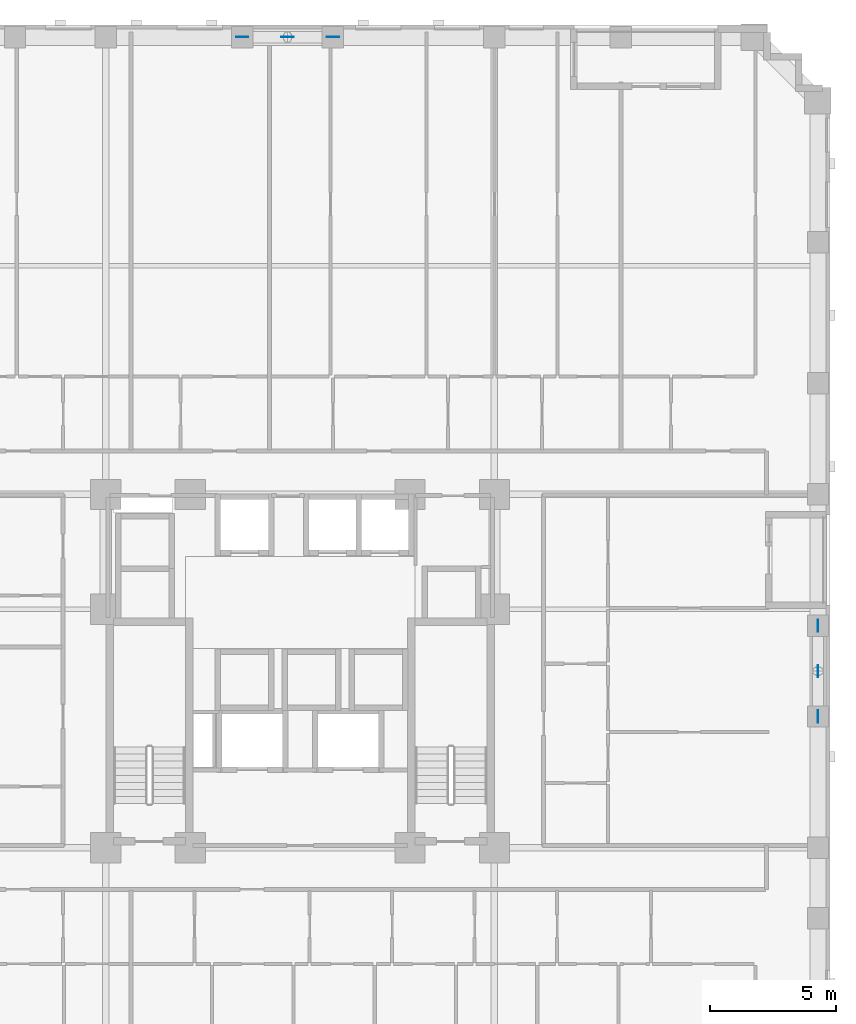
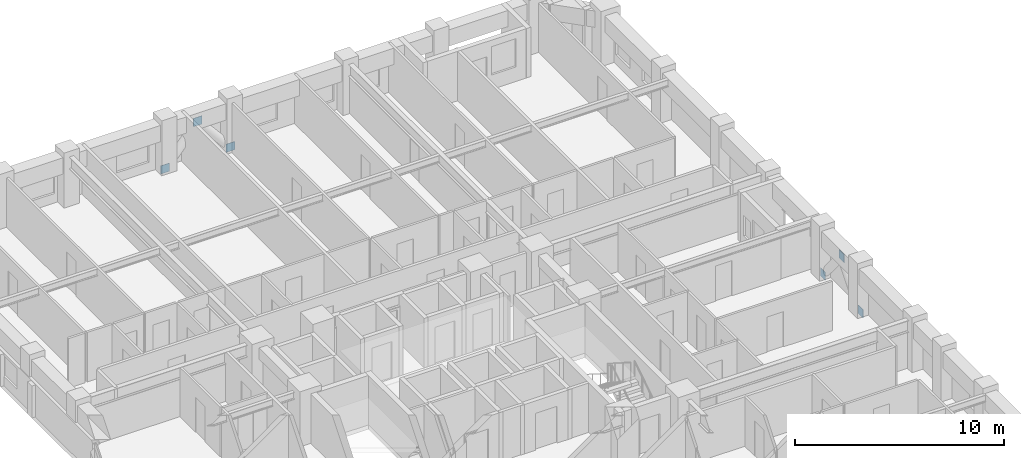
# One storey, part 11 of 14: 6 discrete accessories.
"""IFC4 building model written with IfcOpenShell, lengths in metres."""

from ifc_helpers import new_model, si_unit, derived_unit, direction, frame, origin, origin_2d, place, context, subcontext, project, spatial, rectangle, extrude, material, layer, layer_set, type_object, element, save


model = new_model("IFC4")

# Units and contexts
model_context = context("Model", 3, precision=1e-05, world=origin(), true_north=direction((0.0, 1.0)))
body_context = subcontext(model_context, "Body", "Model", "MODEL_VIEW")
ifc_project = project(units=[si_unit("LENGTHUNIT", "METRE"), si_unit("AREAUNIT", "SQUARE_METRE"), si_unit("VOLUMEUNIT", "CUBIC_METRE"), si_unit("PLANEANGLEUNIT", "RADIAN"), si_unit("MASSUNIT", "GRAM", prefix="KILO"), derived_unit("THERMALTRANSMITTANCEUNIT", [(si_unit("MASSUNIT", "GRAM", prefix="KILO"), 1), (si_unit("TIMEUNIT", "SECOND"), -3), (si_unit("THERMODYNAMICTEMPERATUREUNIT", "KELVIN"), -1)])], contexts=[model_context])

# Site, building, storey
site_placement = place(None, origin())
site = spatial("IfcSite", under=ifc_project, at=site_placement, CompositionType="ELEMENT")
building_placement = place(site_placement, origin())
building = spatial("IfcBuilding", under=site, at=building_placement, Name="Korrvale Station Residences", CompositionType="ELEMENT")
storey_placement = place(building_placement, frame((0.0, 0.0, 67.39990234375)))
storey = spatial("IfcBuildingStorey", under=building, at=storey_placement, Name="L18", CompositionType="ELEMENT", Elevation=67.39990234375)

# Discrete accessories
ifc_material = material(Name="Steel S355", Category="steel")
ifc_layer = layer(ifc_material, 0.02490234375, Name="Steel S355")
ifc_layer_set = layer_set([ifc_layer], Name="Steel S355")
discrete_accessory_type = type_object("IfcDiscreteAccessoryType", Name="ACC-GUSSET-25", PredefinedType="BRACKET", material=ifc_layer_set)
for number, where, z_axis, x_axis, name in (
    (1, (23.199951171875, 47.1201171875, -0.219970703125), (0.0, 0.0, 1.0), (1.0, 0.0, 0.0), "L18 N Brace End Gusset Connection A"),
    (2, (26.800048828125, 47.1201171875, -0.219970703125), (0.0, 0.0, 1.0), (1.0, 0.0, 0.0), "L18 N Brace End Gusset Connection B"),
    (3, (25.0, 47.1201171875, 1.91015625), (0.0, 0.0, 1.0), (1.0, 0.0, 0.0), "L18 N Brace End Gusset Connection M"),
    (4, (46.02001953125, 20.199951171875, -0.219970703125), (0.0, 0.0, 1.0), (0.0, 1.0, 0.0), "L18 E Brace End Gusset Connection A"),
    (5, (46.02001953125, 23.800048828125, -0.219970703125), (0.0, 0.0, 1.0), (0.0, 1.0, 0.0), "L18 E Brace End Gusset Connection B"),
    (6, (46.02001953125, 22.0, 1.91015625), (0.0, 0.0, 1.0), (0.0, 1.0, 0.0), "L18 E Brace End Gusset Connection M"),
):
    element("IfcDiscreteAccessory", number, at=place(storey_placement, frame(where, z_axis=z_axis, x_axis=x_axis)), inside=storey, type_object=discrete_accessory_type, Name=name, PredefinedType="BRACKET", context=body_context, shape_type="SweptSolid", body=[
        extrude(rectangle(XDim=0.47998046875, YDim=0.02490234375, at=origin_2d()), origin(), (0.0, 0.0, 1.0), 0.47998046875),
    ])

save(model, "model.ifc")
